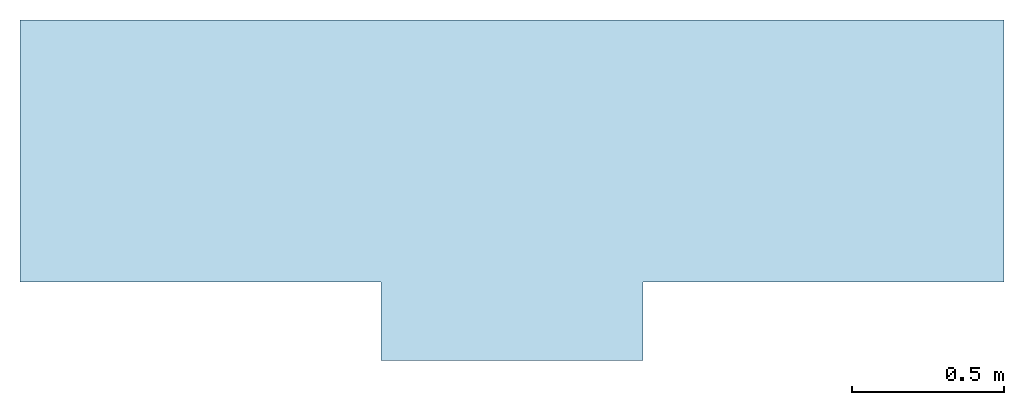
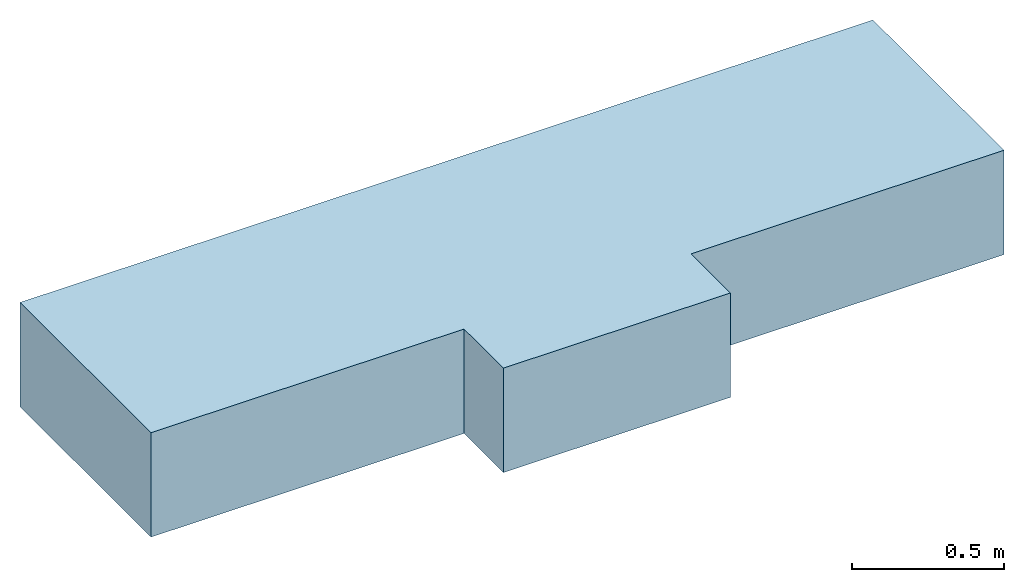
# One storey: 1 slab.
"""IFC4 building model written with IfcOpenShell, lengths in metres."""

from ifc_helpers import new_model, si_unit, direction, frame, origin, place, context, subcontext, project, spatial, polyline, outline, extrude, material, layer, layer_set, type_object, element, save


model = new_model("IFC4")

# Units and contexts
model_context = context("Model", 3, precision=1e-05, world=origin(), true_north=direction((0.0, 1.0)))
body_context = subcontext(model_context, "Body", "Model", "MODEL_VIEW")
ifc_project = project(units=[si_unit("LENGTHUNIT", "METRE"), si_unit("AREAUNIT", "SQUARE_METRE"), si_unit("VOLUMEUNIT", "CUBIC_METRE"), si_unit("PLANEANGLEUNIT", "RADIAN"), si_unit("MASSUNIT", "GRAM", prefix="KILO")], contexts=[model_context])

# Site, building, storey
site_placement = place(None, origin())
site = spatial("IfcSite", under=ifc_project, at=site_placement, CompositionType="ELEMENT")
building_placement = place(site_placement, origin())
building = spatial("IfcBuilding", under=site, at=building_placement, Name="Perihelion Cross Residences", CompositionType="ELEMENT")
storey_placement = place(building_placement, frame((0.0, 0.0, 325.550048828125)))
storey = spatial("IfcBuildingStorey", under=building, at=storey_placement, Name="ROOF", CompositionType="ELEMENT", Elevation=325.550048828125)

# Slab
ifc_material = material(Name="Concrete C50/60", Category="concrete")
ifc_layer = layer(ifc_material, 0.419921875)
ifc_layer_set = layer_set([ifc_layer], Name="Crown cap slab concrete C50/60")
slab_type = type_object("IfcSlabType", Name="Crown cap slab concrete C50/60", PredefinedType="ROOF", material=ifc_layer_set)
slab_placement = place(storey_placement, origin())
element("IfcSlab", 1, at=slab_placement, inside=storey, type_object=slab_type, Name="Slab SL14 ROOF cap", PredefinedType="ROOF", context=body_context, shape_type="SweptSolid", body=[
    extrude(outline(polyline([(1.622314453125, -0.431884765625), (1.622314453125, 0.431884765625), (0.431884765625, 0.431884765625), (-0.431884765625, 0.431884765625), (-1.622314453125, 0.431884765625), (-1.622314453125, -0.431884765625), (-0.431884765625, -0.431884765625), (-0.431884765625, -0.691162109375), (0.431884765625, -0.691162109375), (0.431884765625, -0.431884765625), (1.622314453125, -0.431884765625)])), origin(), (0.0, 0.0, 1.0), 0.419921875),
])

save(model, "model.ifc")
